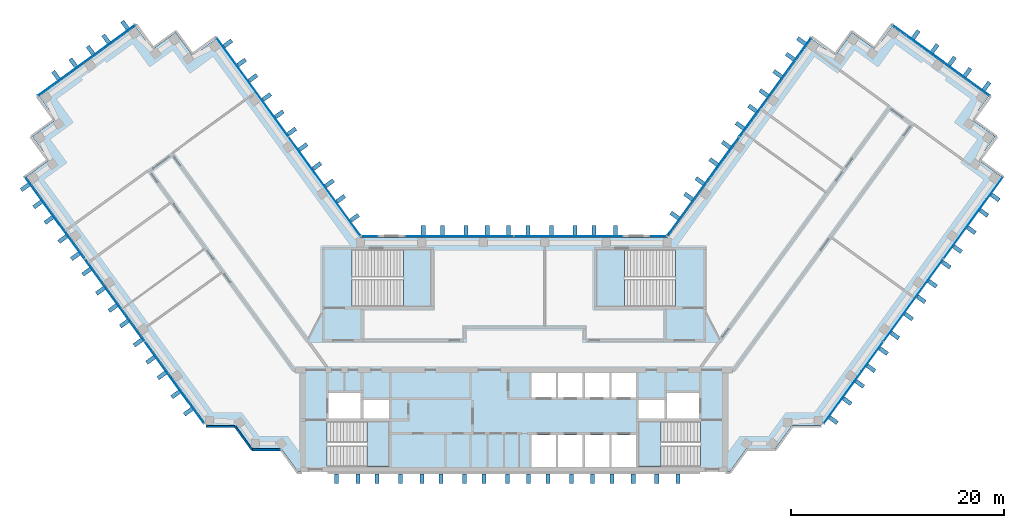
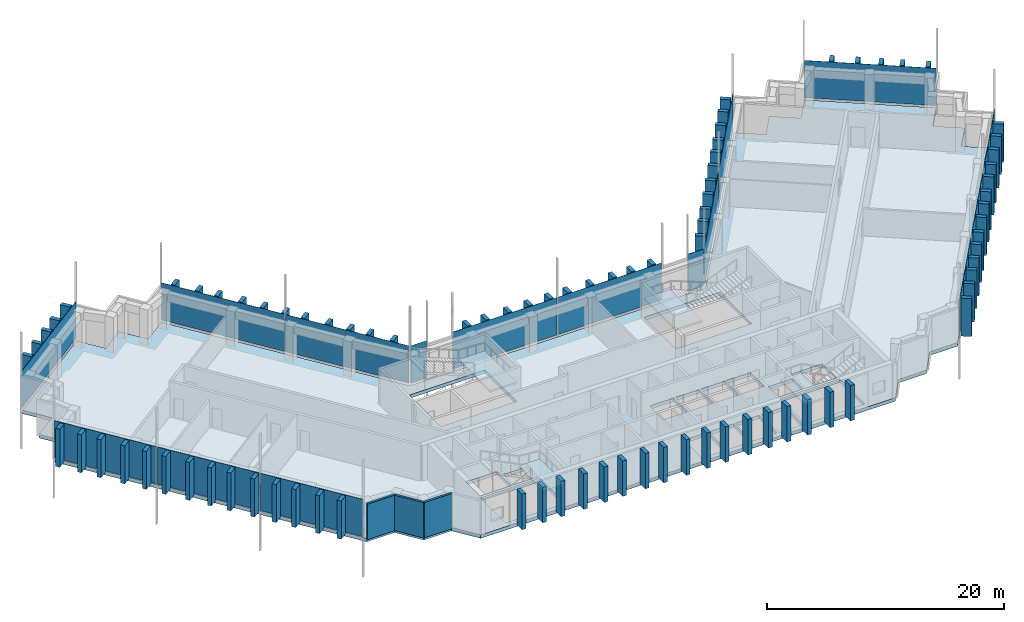
# One storey, part 6 of 13: 103 plates, 5 slabs, 3 walls, 13 elements without a shape of their own.
"""IFC4 building model written with IfcOpenShell, lengths in metres."""

from ifc_helpers import new_model, si_unit, direction, frame, frame_2d, origin, origin_2d, place, context, subcontext, project, spatial, polyline, rectangle, outline, extrude, material, layer, layer_set, type_object, element, aggregate, save


model = new_model("IFC4")

# Units and contexts
model_context = context("Model", 3, precision=1e-05, world=origin(), true_north=direction((0.0, 1.0)))
body_context = subcontext(model_context, "Body", "Model", "MODEL_VIEW")
ifc_project = project(units=[si_unit("LENGTHUNIT", "METRE"), si_unit("AREAUNIT", "SQUARE_METRE"), si_unit("VOLUMEUNIT", "CUBIC_METRE"), si_unit("PLANEANGLEUNIT", "RADIAN"), si_unit("MASSUNIT", "GRAM", prefix="KILO")], contexts=[model_context])

# Site, building, storey
site_placement = place(None, origin())
site = spatial("IfcSite", under=ifc_project, at=site_placement, CompositionType="ELEMENT")
building_placement = place(site_placement, origin())
building = spatial("IfcBuilding", under=site, at=building_placement, Name="Quipu Civic Tower", CompositionType="ELEMENT")
storey_placement = place(building_placement, frame((0.0, 0.0, 172.0)))
storey = spatial("IfcBuildingStorey", under=building, at=storey_placement, Name="L40", CompositionType="ELEMENT", Elevation=172.0)

# Slab
ifc_material_1 = material(Name="Concrete C40/50", Category="concrete")
ifc_layer_1 = layer(ifc_material_1, 0.35009765625)
ifc_layer_set_1 = layer_set([ifc_layer_1], Name="Concrete C40/50")
slab_type_1 = type_object("IfcSlabType", Name="Floor slab 350 C40/50", PredefinedType="FLOOR", material=ifc_layer_set_1)
slab_1_placement = place(storey_placement, frame((0.0, 0.0, -0.35009765625)))
element("IfcSlab", 1, at=slab_1_placement, inside=storey, type_object=slab_type_1, Name="Floor slab L40", PredefinedType="FLOOR", context=body_context, shape_type="SweptSolid", body=[
    extrude(outline(polyline([(27.909912109375, 29.60498046875), (30.094970703125, 28.014892578125), (31.68505859375, 30.199951171875), (33.864990234375, 28.614990234375), (35.455078125, 30.800048828125), (44.514892578125, 24.215087890625), (42.929931640625, 22.030029296875), (45.114990234375, 20.445068359375), (43.52490234375, 18.260009765625), (45.7099609375, 16.669921875), (28.780029296875, -6.6298828125), (26.080078125, -6.6298828125), (24.489990234375, -8.81494140625), (21.7900390625, -8.81494140625), (20.205078125, -11.0), (-20.205078125, -11.0), (-21.7900390625, -8.81494140625), (-24.489990234375, -8.81494140625), (-26.080078125, -6.6298828125), (-28.780029296875, -6.6298828125), (-45.7099609375, 16.669921875), (-43.52490234375, 18.260009765625), (-45.114990234375, 20.445068359375), (-42.929931640625, 22.030029296875), (-44.514892578125, 24.215087890625), (-35.455078125, 30.800048828125), (-33.864990234375, 28.614990234375), (-31.68505859375, 30.199951171875), (-30.094970703125, 28.014892578125), (-27.909912109375, 29.60498046875), (-14.39501953125, 11.0), (14.39501953125, 11.0), (27.909912109375, 29.60498046875)]), holes=[polyline([(1.64990234375, -7.5), (1.64990234375, -10.5), (3.949951171875, -10.5), (3.949951171875, -7.5), (1.64990234375, -7.5)]), polyline([(4.14990234375, -7.5), (4.14990234375, -10.5), (6.449951171875, -10.5), (6.449951171875, -7.5), (4.14990234375, -7.5)]), polyline([(-11.705078125, -6.2548828125), (-17.4951171875, -6.2548828125), (-17.4951171875, -10.4951171875), (-11.705078125, -10.4951171875), (-11.705078125, -6.2548828125)]), polyline([(-14.10009765625, -4.25), (-14.10009765625, -6.0), (-11.699951171875, -6.0), (-11.699951171875, -4.25), (-14.10009765625, -4.25)]), polyline([(-17.35009765625, -3.60009765625), (-17.35009765625, -6.0), (-14.35009765625, -6.0), (-14.35009765625, -3.60009765625), (-17.35009765625, -3.60009765625)]), polyline([(1.64990234375, -1.699951171875), (1.64990234375, -4.0), (3.949951171875, -4.0), (3.949951171875, -1.699951171875), (1.64990234375, -1.699951171875)]), polyline([(4.14990234375, -1.699951171875), (4.14990234375, -4.0), (6.449951171875, -4.0), (6.449951171875, -1.699951171875), (4.14990234375, -1.699951171875)]), polyline([(-7.7548828125, 9.844970703125), (-15.14501953125, 9.844970703125), (-15.14501953125, 4.5048828125), (-7.7548828125, 4.5048828125), (-7.7548828125, 9.844970703125)]), polyline([(6.64990234375, -7.5), (6.64990234375, -10.5), (8.949951171875, -10.5), (8.949951171875, -7.5), (6.64990234375, -7.5)]), polyline([(9.14990234375, -7.5), (9.14990234375, -10.5), (11.449951171875, -10.5), (11.449951171875, -7.5), (9.14990234375, -7.5)]), polyline([(11.705078125, -10.4951171875), (17.4951171875, -10.4951171875), (17.4951171875, -6.2548828125), (11.705078125, -6.2548828125), (11.705078125, -10.4951171875)]), polyline([(11.699951171875, -4.25), (11.699951171875, -6.0), (14.10009765625, -6.0), (14.10009765625, -4.25), (11.699951171875, -4.25)]), polyline([(14.35009765625, -3.60009765625), (14.35009765625, -6.0), (17.35009765625, -6.0), (17.35009765625, -3.60009765625), (14.35009765625, -3.60009765625)]), polyline([(6.64990234375, -1.699951171875), (6.64990234375, -4.0), (8.949951171875, -4.0), (8.949951171875, -1.699951171875), (6.64990234375, -1.699951171875)]), polyline([(9.14990234375, -1.699951171875), (9.14990234375, -4.0), (11.449951171875, -4.0), (11.449951171875, -1.699951171875), (9.14990234375, -1.699951171875)]), polyline([(7.7548828125, 4.5048828125), (15.14501953125, 4.5048828125), (15.14501953125, 9.844970703125), (7.7548828125, 9.844970703125), (7.7548828125, 4.5048828125)])]), origin(), (0.0, 0.0, 1.0), 0.35009765625),
])

# Curtain wall, plates
ifc_material_2 = material(Name="Insulated glass unit", Category="glass")
curtain_wall_type = type_object("IfcCurtainWallType", Name="Office curtain wall CW1", PredefinedType="NOTDEFINED", material=ifc_material_2)
curtain_wall_1_placement = place(storey_placement, origin())
curtain_wall_1 = element("IfcCurtainWall", 2, at=curtain_wall_1_placement, inside=storey, type_object=curtain_wall_type, Name="Office curtain wall CW1 L39 run 1", PredefinedType="NOTDEFINED")
ifc_material_3 = material(Name="Insulated glass unit", Category="glass")
ifc_layer_2 = layer(ifc_material_3, 0.028076171875)
ifc_layer_set_2 = layer_set([ifc_layer_2], Name="Insulated glass unit")
plate_type_1 = type_object("IfcPlateType", Name="Glass panel CW1", PredefinedType="CURTAIN_PANEL", material=ifc_layer_set_2)
plate_1_placement = place(storey_placement, frame((-17.7421875, 15.777099609375, 0.16015625), z_axis=(0.0, 0.0, 1.0), x_axis=(-0.587788727052, 0.809014469803, 0.0)))
plate_1 = element("IfcPlate", 3, at=plate_1_placement, type_object=plate_type_1, Name="CW1 panel 1.2", PredefinedType="CURTAIN_PANEL", context=body_context, shape_type="SweptSolid", body=[
    extrude(rectangle(XDim=11.402099609375, YDim=0.028076171875, at=origin_2d()), origin(), (0.0, 0.0, 1.0), 3.840087890625),
])
plate_2_placement = place(storey_placement, frame((-24.491455078125, 25.066162109375, 0.16015625), z_axis=(0.0, 0.0, 1.0), x_axis=(-0.587788727052, 0.809014469803, 0.0)))
plate_2 = element("IfcPlate", 4, at=plate_2_placement, type_object=plate_type_1, Name="CW1 panel 2.2", PredefinedType="CURTAIN_PANEL", context=body_context, shape_type="SweptSolid", body=[
    extrude(rectangle(XDim=11.402099609375, YDim=0.028076171875, at=origin_2d()), origin(), (0.0, 0.0, 1.0), 3.840087890625),
])
aggregate(curtain_wall_1, [plate_1, plate_2])

# Curtain wall, plate
curtain_wall_2_placement = place(storey_placement, origin())
curtain_wall_2 = element("IfcCurtainWall", 5, at=curtain_wall_2_placement, inside=storey, type_object=curtain_wall_type, Name="Office curtain wall CW1 L39 run 6", PredefinedType="NOTDEFINED")
plate_3_placement = place(storey_placement, frame((-40.04345703125, 27.58740234375, 0.16015625), z_axis=(0.0, 0.0, 1.0), x_axis=(-0.809015176832, -0.587787753918, 0.0)))
plate_3 = element("IfcPlate", 6, at=plate_3_placement, type_object=plate_type_1, Name="CW1 panel 1.2", PredefinedType="CURTAIN_PANEL", context=body_context, shape_type="SweptSolid", body=[
    extrude(rectangle(XDim=11.239990234375, YDim=0.028076171875, at=origin_2d()), origin(), (0.0, 0.0, 1.0), 3.840087890625),
])
aggregate(curtain_wall_2, [plate_3])

# Curtain wall, plates
curtain_wall_3_placement = place(storey_placement, origin())
curtain_wall_3 = element("IfcCurtainWall", 7, at=curtain_wall_3_placement, inside=storey, type_object=curtain_wall_type, Name="Office curtain wall CW1 L39 run 8", PredefinedType="NOTDEFINED")
plate_4_placement = place(storey_placement, frame((-43.030517578125, 12.814208984375, 0.16015625), z_axis=(0.0, 0.0, 1.0), x_axis=(0.5877856923, -0.80901667469, 0.0)))
plate_4 = element("IfcPlate", 8, at=plate_4_placement, type_object=plate_type_1, Name="CW1 panel 1.2", PredefinedType="CURTAIN_PANEL", context=body_context, shape_type="SweptSolid", body=[
    extrude(rectangle(XDim=9.43212890625, YDim=0.028076171875, at=origin_2d()), origin(), (0.0, 0.0, 1.0), 3.840087890625),
])
plate_5_placement = place(storey_placement, frame((-37.427734375, 5.102783203125, 0.16015625), z_axis=(0.0, 0.0, 1.0), x_axis=(0.5877856923, -0.80901667469, 0.0)))
plate_5 = element("IfcPlate", 9, at=plate_5_placement, type_object=plate_type_1, Name="CW1 panel 2.2", PredefinedType="CURTAIN_PANEL", context=body_context, shape_type="SweptSolid", body=[
    extrude(rectangle(XDim=9.471923828125, YDim=0.028076171875, at=origin_2d()), origin(), (0.0, 0.0, 1.0), 3.840087890625),
])
plate_6_placement = place(storey_placement, frame((-31.824951171875, -2.60888671875, 0.16015625), z_axis=(0.0, 0.0, 1.0), x_axis=(0.5877856923, -0.80901667469, 0.0)))
plate_6 = element("IfcPlate", 10, at=plate_6_placement, type_object=plate_type_1, Name="CW1 panel 3.2", PredefinedType="CURTAIN_PANEL", context=body_context, shape_type="SweptSolid", body=[
    extrude(rectangle(XDim=9.43212890625, YDim=0.028076171875, at=origin_2d()), origin(), (0.0, 0.0, 1.0), 3.840087890625),
])
aggregate(curtain_wall_3, [plate_4, plate_5, plate_6])

curtain_wall_4_placement = place(storey_placement, origin())
curtain_wall_4 = element("IfcCurtainWall", 11, at=curtain_wall_4_placement, inside=storey, type_object=curtain_wall_type, Name="Office curtain wall CW1 L39 run 20", PredefinedType="NOTDEFINED")
plate_7_placement = place(storey_placement, frame((31.824951171875, -2.60888671875, 0.16015625), z_axis=(0.0, 0.0, 1.0), x_axis=(0.5877856923, 0.80901667469, 0.0)))
plate_7 = element("IfcPlate", 12, at=plate_7_placement, type_object=plate_type_1, Name="CW1 panel 1.2", PredefinedType="CURTAIN_PANEL", context=body_context, shape_type="SweptSolid", body=[
    extrude(rectangle(XDim=9.43212890625, YDim=0.028076171875, at=origin_2d()), origin(), (0.0, 0.0, 1.0), 3.840087890625),
])
plate_8_placement = place(storey_placement, frame((37.427734375, 5.102783203125, 0.16015625), z_axis=(0.0, 0.0, 1.0), x_axis=(0.5877856923, 0.80901667469, 0.0)))
plate_8 = element("IfcPlate", 13, at=plate_8_placement, type_object=plate_type_1, Name="CW1 panel 2.2", PredefinedType="CURTAIN_PANEL", context=body_context, shape_type="SweptSolid", body=[
    extrude(rectangle(XDim=9.471923828125, YDim=0.028076171875, at=origin_2d()), origin(), (0.0, 0.0, 1.0), 3.840087890625),
])
plate_9_placement = place(storey_placement, frame((43.030517578125, 12.814208984375, 0.16015625), z_axis=(0.0, 0.0, 1.0), x_axis=(0.5877856923, 0.80901667469, 0.0)))
plate_9 = element("IfcPlate", 14, at=plate_9_placement, type_object=plate_type_1, Name="CW1 panel 3.2", PredefinedType="CURTAIN_PANEL", context=body_context, shape_type="SweptSolid", body=[
    extrude(rectangle(XDim=9.43212890625, YDim=0.028076171875, at=origin_2d()), origin(), (0.0, 0.0, 1.0), 3.840087890625),
])
aggregate(curtain_wall_4, [plate_7, plate_8, plate_9])

# Curtain wall, plate
curtain_wall_5_placement = place(storey_placement, origin())
curtain_wall_5 = element("IfcCurtainWall", 15, at=curtain_wall_5_placement, inside=storey, type_object=curtain_wall_type, Name="Office curtain wall CW1 L39 run 25", PredefinedType="NOTDEFINED")
plate_10_placement = place(storey_placement, frame((40.04345703125, 27.58740234375, 0.16015625), z_axis=(0.0, 0.0, 1.0), x_axis=(-0.809015176832, 0.587787753918, 0.0)))
plate_10 = element("IfcPlate", 16, at=plate_10_placement, type_object=plate_type_1, Name="CW1 panel 1.2", PredefinedType="CURTAIN_PANEL", context=body_context, shape_type="SweptSolid", body=[
    extrude(rectangle(XDim=11.239990234375, YDim=0.028076171875, at=origin_2d()), origin(), (0.0, 0.0, 1.0), 3.840087890625),
])
aggregate(curtain_wall_5, [plate_10])

# Curtain wall, plates
curtain_wall_6_placement = place(storey_placement, origin())
curtain_wall_6 = element("IfcCurtainWall", 17, at=curtain_wall_6_placement, inside=storey, type_object=curtain_wall_type, Name="Office curtain wall CW1 L39 run 30", PredefinedType="NOTDEFINED")
plate_11_placement = place(storey_placement, frame((24.491455078125, 25.066162109375, 0.16015625), z_axis=(0.0, 0.0, 1.0), x_axis=(-0.587788727052, -0.809014469803, 0.0)))
plate_11 = element("IfcPlate", 18, at=plate_11_placement, type_object=plate_type_1, Name="CW1 panel 1.2", PredefinedType="CURTAIN_PANEL", context=body_context, shape_type="SweptSolid", body=[
    extrude(rectangle(XDim=11.402099609375, YDim=0.028076171875, at=origin_2d()), origin(), (0.0, 0.0, 1.0), 3.840087890625),
])
plate_12_placement = place(storey_placement, frame((17.7421875, 15.777099609375, 0.16015625), z_axis=(0.0, 0.0, 1.0), x_axis=(-0.587788727052, -0.809014469803, 0.0)))
plate_12 = element("IfcPlate", 19, at=plate_12_placement, type_object=plate_type_1, Name="CW1 panel 2.2", PredefinedType="CURTAIN_PANEL", context=body_context, shape_type="SweptSolid", body=[
    extrude(rectangle(XDim=11.402099609375, YDim=0.028076171875, at=origin_2d()), origin(), (0.0, 0.0, 1.0), 3.840087890625),
])
aggregate(curtain_wall_6, [plate_11, plate_12])

# Curtain wall, plate
curtain_wall_7_placement = place(storey_placement, origin())
curtain_wall_7 = element("IfcCurtainWall", 20, at=curtain_wall_7_placement, inside=storey, type_object=curtain_wall_type, Name="Office curtain wall CW1 L39 run 31", PredefinedType="NOTDEFINED")
plate_13_placement = place(storey_placement, frame((13.49951171875, 11.10009765625, 0.16015625), z_axis=(0.0, 0.0, 1.0), x_axis=(-1.0, 0.0, 0.0)))
plate_13 = element("IfcPlate", 21, at=plate_13_placement, type_object=plate_type_1, Name="CW1 panel 1.2", PredefinedType="CURTAIN_PANEL", context=body_context, shape_type="SweptSolid", body=[
    extrude(rectangle(XDim=1.529296875, YDim=0.028076171875, at=origin_2d()), origin(), (0.0, 0.0, 1.0), 3.840087890625),
])
aggregate(curtain_wall_7, [plate_13])

# Curtain wall, plates
curtain_wall_8_placement = place(storey_placement, origin())
curtain_wall_8 = element("IfcCurtainWall", 22, at=curtain_wall_8_placement, inside=storey, type_object=curtain_wall_type, Name="Office curtain wall CW1 L39 run 33", PredefinedType="NOTDEFINED")
plate_14_placement = place(storey_placement, frame((5.11181640625, 11.10009765625, 0.16015625), z_axis=(0.0, 0.0, 1.0), x_axis=(-1.0, 0.0, 0.0)))
plate_14 = element("IfcPlate", 23, at=plate_14_placement, type_object=plate_type_1, Name="CW1 panel 1.2", PredefinedType="CURTAIN_PANEL", context=body_context, shape_type="SweptSolid", body=[
    extrude(rectangle(XDim=10.1435546875, YDim=0.028076171875, at=origin_2d()), origin(), (0.0, 0.0, 1.0), 3.840087890625),
])
plate_15_placement = place(storey_placement, frame((-5.11181640625, 11.10009765625, 0.16015625), z_axis=(0.0, 0.0, 1.0), x_axis=(-1.0, 0.0, 0.0)))
plate_15 = element("IfcPlate", 24, at=plate_15_placement, type_object=plate_type_1, Name="CW1 panel 2.2", PredefinedType="CURTAIN_PANEL", context=body_context, shape_type="SweptSolid", body=[
    extrude(rectangle(XDim=10.1435546875, YDim=0.028076171875, at=origin_2d()), origin(), (0.0, 0.0, 1.0), 3.840087890625),
])
aggregate(curtain_wall_8, [plate_14, plate_15])

# Curtain wall, plate
curtain_wall_9_placement = place(storey_placement, origin())
curtain_wall_9 = element("IfcCurtainWall", 25, at=curtain_wall_9_placement, inside=storey, type_object=curtain_wall_type, Name="Office curtain wall CW1 L39 run 35", PredefinedType="NOTDEFINED")
plate_16_placement = place(storey_placement, frame((-13.49951171875, 11.10009765625, 0.16015625), z_axis=(0.0, 0.0, 1.0), x_axis=(-1.0, 0.0, 0.0)))
plate_16 = element("IfcPlate", 26, at=plate_16_placement, type_object=plate_type_1, Name="CW1 panel 1.2", PredefinedType="CURTAIN_PANEL", context=body_context, shape_type="SweptSolid", body=[
    extrude(rectangle(XDim=1.529296875, YDim=0.028076171875, at=origin_2d()), origin(), (0.0, 0.0, 1.0), 3.840087890625),
])
aggregate(curtain_wall_9, [plate_16])

# Plates
ifc_material_4 = material(Name="Precast concrete C40/50", Category="concrete")
plate_type_2 = type_object("IfcPlateType", Name="Precast fin F2", PredefinedType="SHEET", material=ifc_material_4)
for number, where, z_axis, x_axis, name in (
    (27, (-14.92138671875, 12.830078125, 0.080078125), (0.0, 0.0, 1.0), (-0.587787133119, 0.809015627871, 0.0), "Precast fin F2 L40.P04.1"),
    (28, (-16.214599609375, 14.610107421875, 0.080078125), (0.0, 0.0, 1.0), (-0.587787133119, 0.809015627871, 0.0), "Precast fin F2 L40.P04.2"),
    (29, (-17.272705078125, 16.066162109375, 0.080078125), (0.0, 0.0, 1.0), (-0.587787133119, 0.809015627871, 0.0), "Precast fin F2 L40.P04.3"),
    (30, (-18.4482421875, 17.684326171875, 0.080078125), (0.0, 0.0, 1.0), (-0.587787133119, 0.809015627871, 0.0), "Precast fin F2 L40.P04.4"),
    (31, (-19.741455078125, 19.464111328125, 0.080078125), (0.0, 0.0, 1.0), (-0.587787133119, 0.809015627871, 0.0), "Precast fin F2 L40.P04.5"),
    (32, (-20.79931640625, 20.92041015625, 0.080078125), (0.0, 0.0, 1.0), (-0.587787133119, 0.809015627871, 0.0), "Precast fin F2 L40.P04.6"),
    (33, (-21.974853515625, 22.538330078125, 0.080078125), (0.0, 0.0, 1.0), (-0.587787133119, 0.809015627871, 0.0), "Precast fin F2 L40.P04.7"),
    (34, (-23.150390625, 24.156494140625, 0.080078125), (0.0, 0.0, 1.0), (-0.587787133119, 0.809015627871, 0.0), "Precast fin F2 L40.P04.8"),
    (35, (-24.443603515625, 25.936279296875, 0.080078125), (0.0, 0.0, 1.0), (-0.587787133119, 0.809015627871, 0.0), "Precast fin F2 L40.P04.9"),
    (36, (-25.501708984375, 27.392578125, 0.080078125), (0.0, 0.0, 1.0), (-0.587787133119, 0.809015627871, 0.0), "Precast fin F2 L40.P04.10"),
    (37, (-26.794677734375, 29.17236328125, 0.080078125), (0.0, 0.0, 1.0), (-0.587787133119, 0.809015627871, 0.0), "Precast fin F2 L40.P04.11"),
    (38, (-36.434814453125, 30.88916015625, 0.080078125), (0.0, 0.0, 1.0), (-0.809017072762, -0.587785144401, 0.0), "Precast fin F2 L40.P09.1"),
    (39, (-38.21484375, 29.595947265625, 0.080078125), (0.0, 0.0, 1.0), (-0.809017072762, -0.587785144401, 0.0), "Precast fin F2 L40.P09.2"),
    (40, (-39.6708984375, 28.537841796875, 0.080078125), (0.0, 0.0, 1.0), (-0.809017072762, -0.587785144401, 0.0), "Precast fin F2 L40.P09.3"),
    (41, (-41.2890625, 27.3623046875, 0.080078125), (0.0, 0.0, 1.0), (-0.809017072762, -0.587785144401, 0.0), "Precast fin F2 L40.P09.4"),
    (42, (-42.906982421875, 26.186767578125, 0.080078125), (0.0, 0.0, 1.0), (-0.809017072762, -0.587785144401, 0.0), "Precast fin F2 L40.P09.5"),
    (43, (-45.80078125, 15.69140625, 0.080078125), (0.0, 0.0, 1.0), (0.587785620359, -0.809016726959, 0.0), "Precast fin F2 L40.P11.1"),
    (44, (-44.625244140625, 14.073486328125, 0.080078125), (0.0, 0.0, 1.0), (0.587785620359, -0.809016726959, 0.0), "Precast fin F2 L40.P11.2"),
    (45, (-43.567138671875, 12.6171875, 0.080078125), (0.0, 0.0, 1.0), (0.587785620359, -0.809016726959, 0.0), "Precast fin F2 L40.P11.3"),
    (46, (-42.27392578125, 10.83740234375, 0.080078125), (0.0, 0.0, 1.0), (0.587785620359, -0.809016726959, 0.0), "Precast fin F2 L40.P11.4"),
    (47, (-41.098388671875, 9.21923828125, 0.080078125), (0.0, 0.0, 1.0), (0.587785620359, -0.809016726959, 0.0), "Precast fin F2 L40.P11.5"),
    (48, (-40.040283203125, 7.76318359375, 0.080078125), (0.0, 0.0, 1.0), (0.587785620359, -0.809016726959, 0.0), "Precast fin F2 L40.P11.6"),
    (49, (-38.747314453125, 5.983154296875, 0.080078125), (0.0, 0.0, 1.0), (0.587785620359, -0.809016726959, 0.0), "Precast fin F2 L40.P11.7"),
    (50, (-37.57177734375, 4.365234375, 0.080078125), (0.0, 0.0, 1.0), (0.587785620359, -0.809016726959, 0.0), "Precast fin F2 L40.P11.8"),
    (51, (-36.513671875, 2.908935546875, 0.080078125), (0.0, 0.0, 1.0), (0.587785620359, -0.809016726959, 0.0), "Precast fin F2 L40.P11.9"),
    (52, (-35.220458984375, 1.129150390625, 0.080078125), (0.0, 0.0, 1.0), (0.587785620359, -0.809016726959, 0.0), "Precast fin F2 L40.P11.10"),
    (53, (-34.044921875, -0.48876953125, 0.080078125), (0.0, 0.0, 1.0), (0.587785620359, -0.809016726959, 0.0), "Precast fin F2 L40.P11.11"),
    (54, (-32.987060546875, -1.945068359375, 0.080078125), (0.0, 0.0, 1.0), (0.587785620359, -0.809016726959, 0.0), "Precast fin F2 L40.P11.12"),
    (55, (-31.69384765625, -3.724853515625, 0.080078125), (0.0, 0.0, 1.0), (0.587785620359, -0.809016726959, 0.0), "Precast fin F2 L40.P11.13"),
    (56, (-30.518310546875, -5.343017578125, 0.080078125), (0.0, 0.0, 1.0), (0.587785620359, -0.809016726959, 0.0), "Precast fin F2 L40.P11.14"),
):
    element("IfcPlate", number, at=place(storey_placement, frame(where, z_axis=z_axis, x_axis=x_axis)), inside=storey, type_object=plate_type_2, Name=name, PredefinedType="SHEET", context=body_context, shape_type="SweptSolid", body=[
        extrude(rectangle(XDim=0.3798828125, YDim=0.89990234375, at=origin_2d()), origin(), (0.0, 0.0, 1.0), 3.919921875),
    ])
for number, where, z_axis, x_axis, name in (
    (57, (-16.610107421875, -11.637939453125, 0.0), (0.0, 0.0, 1.0), (1.0, 0.0, 0.0), "Precast fin F2 L40.P18.1"),
    (58, (-14.610107421875, -11.637939453125, 0.0), (0.0, 0.0, 1.0), (1.0, 0.0, 0.0), "Precast fin F2 L40.P18.2"),
    (59, (-12.81005859375, -11.637939453125, 0.0), (0.0, 0.0, 1.0), (1.0, 0.0, 0.0), "Precast fin F2 L40.P18.3"),
    (60, (-10.610107421875, -11.637939453125, 0.0), (0.0, 0.0, 1.0), (1.0, 0.0, 0.0), "Precast fin F2 L40.P18.4"),
    (61, (-8.610107421875, -11.637939453125, 0.0), (0.0, 0.0, 1.0), (1.0, 0.0, 0.0), "Precast fin F2 L40.P18.5"),
    (62, (-6.81005859375, -11.637939453125, 0.0), (0.0, 0.0, 1.0), (1.0, 0.0, 0.0), "Precast fin F2 L40.P18.6"),
    (63, (-4.610107421875, -11.637939453125, 0.0), (0.0, 0.0, 1.0), (1.0, 0.0, 0.0), "Precast fin F2 L40.P18.7"),
    (64, (-2.81005859375, -11.637939453125, 0.0), (0.0, 0.0, 1.0), (1.0, 0.0, 0.0), "Precast fin F2 L40.P18.8"),
    (65, (-0.610107421875, -11.637939453125, 0.0), (0.0, 0.0, 1.0), (1.0, 0.0, 0.0), "Precast fin F2 L40.P18.9"),
    (66, (1.389892578125, -11.637939453125, 0.0), (0.0, 0.0, 1.0), (1.0, 0.0, 0.0), "Precast fin F2 L40.P18.10"),
    (67, (3.18994140625, -11.637939453125, 0.0), (0.0, 0.0, 1.0), (1.0, 0.0, 0.0), "Precast fin F2 L40.P18.11"),
    (68, (5.389892578125, -11.637939453125, 0.0), (0.0, 0.0, 1.0), (1.0, 0.0, 0.0), "Precast fin F2 L40.P18.12"),
    (69, (7.389892578125, -11.637939453125, 0.0), (0.0, 0.0, 1.0), (1.0, 0.0, 0.0), "Precast fin F2 L40.P18.13"),
    (70, (9.18994140625, -11.637939453125, 0.0), (0.0, 0.0, 1.0), (1.0, 0.0, 0.0), "Precast fin F2 L40.P18.14"),
    (71, (11.18994140625, -11.637939453125, 0.0), (0.0, 0.0, 1.0), (1.0, 0.0, 0.0), "Precast fin F2 L40.P18.15"),
    (72, (13.389892578125, -11.637939453125, 0.0), (0.0, 0.0, 1.0), (1.0, 0.0, 0.0), "Precast fin F2 L40.P18.16"),
    (73, (15.389892578125, -11.637939453125, 0.0), (0.0, 0.0, 1.0), (1.0, 0.0, 0.0), "Precast fin F2 L40.P18.17"),
):
    element("IfcPlate", number, at=place(storey_placement, frame(where, z_axis=z_axis, x_axis=x_axis)), inside=storey, type_object=plate_type_2, Name=name, PredefinedType="SHEET", context=body_context, shape_type="SweptSolid", body=[
        extrude(rectangle(XDim=0.3798828125, YDim=0.89990234375, at=origin_2d()), origin(), (0.0, 0.0, 1.0), 3.64990234375),
    ])
for number, where, z_axis, x_axis, name in (
    (74, (29.944091796875, -6.133056640625, 0.080078125), (0.0, 0.0, 1.0), (0.587785620359, 0.809016726959, 0.0), "Precast fin F2 L40.P24.1"),
    (75, (31.2373046875, -4.353271484375, 0.080078125), (0.0, 0.0, 1.0), (0.587785620359, 0.809016726959, 0.0), "Precast fin F2 L40.P24.2"),
    (76, (32.412841796875, -2.7353515625, 0.080078125), (0.0, 0.0, 1.0), (0.587785620359, 0.809016726959, 0.0), "Precast fin F2 L40.P24.3"),
    (77, (33.470947265625, -1.279052734375, 0.080078125), (0.0, 0.0, 1.0), (0.587785620359, 0.809016726959, 0.0), "Precast fin F2 L40.P24.4"),
    (78, (34.646484375, 0.339111328125, 0.080078125), (0.0, 0.0, 1.0), (0.587785620359, 0.809016726959, 0.0), "Precast fin F2 L40.P24.5"),
    (79, (35.70458984375, 1.795166015625, 0.080078125), (0.0, 0.0, 1.0), (0.587785620359, 0.809016726959, 0.0), "Precast fin F2 L40.P24.6"),
    (80, (36.99755859375, 3.5751953125, 0.080078125), (0.0, 0.0, 1.0), (0.587785620359, 0.809016726959, 0.0), "Precast fin F2 L40.P24.7"),
    (81, (38.173095703125, 5.193115234375, 0.080078125), (0.0, 0.0, 1.0), (0.587785620359, 0.809016726959, 0.0), "Precast fin F2 L40.P24.8"),
    (82, (39.231201171875, 6.6494140625, 0.080078125), (0.0, 0.0, 1.0), (0.587785620359, 0.809016726959, 0.0), "Precast fin F2 L40.P24.9"),
    (83, (40.5244140625, 8.42919921875, 0.080078125), (0.0, 0.0, 1.0), (0.587785620359, 0.809016726959, 0.0), "Precast fin F2 L40.P24.10"),
    (84, (41.582275390625, 9.885498046875, 0.080078125), (0.0, 0.0, 1.0), (0.587785620359, 0.809016726959, 0.0), "Precast fin F2 L40.P24.11"),
    (85, (42.87548828125, 11.665283203125, 0.080078125), (0.0, 0.0, 1.0), (0.587785620359, 0.809016726959, 0.0), "Precast fin F2 L40.P24.12"),
    (86, (44.051025390625, 13.283203125, 0.080078125), (0.0, 0.0, 1.0), (0.587785620359, 0.809016726959, 0.0), "Precast fin F2 L40.P24.13"),
    (87, (45.109130859375, 14.739501953125, 0.080078125), (0.0, 0.0, 1.0), (0.587785620359, 0.809016726959, 0.0), "Precast fin F2 L40.P24.14"),
    (88, (44.298583984375, 25.17578125, 0.080078125), (0.0, 0.0, 1.0), (-0.809017072762, 0.587785144401, 0.0), "Precast fin F2 L40.P29.1"),
    (89, (42.518798828125, 26.468994140625, 0.080078125), (0.0, 0.0, 1.0), (-0.809017072762, 0.587785144401, 0.0), "Precast fin F2 L40.P29.2"),
    (90, (41.0625, 27.52685546875, 0.080078125), (0.0, 0.0, 1.0), (-0.809017072762, 0.587785144401, 0.0), "Precast fin F2 L40.P29.3"),
    (91, (39.444580078125, 28.70263671875, 0.080078125), (0.0, 0.0, 1.0), (-0.809017072762, 0.587785144401, 0.0), "Precast fin F2 L40.P29.4"),
    (92, (37.66455078125, 29.99560546875, 0.080078125), (0.0, 0.0, 1.0), (-0.809017072762, 0.587785144401, 0.0), "Precast fin F2 L40.P29.5"),
    (93, (26.95068359375, 29.386962890625, 0.080078125), (0.0, 0.0, 1.0), (-0.587787133119, -0.809015627871, 0.0), "Precast fin F2 L40.P34.1"),
    (94, (25.892578125, 27.9306640625, 0.080078125), (0.0, 0.0, 1.0), (-0.587787133119, -0.809015627871, 0.0), "Precast fin F2 L40.P34.2"),
    (95, (24.717041015625, 26.312744140625, 0.080078125), (0.0, 0.0, 1.0), (-0.587787133119, -0.809015627871, 0.0), "Precast fin F2 L40.P34.3"),
    (96, (23.424072265625, 24.53271484375, 0.080078125), (0.0, 0.0, 1.0), (-0.587787133119, -0.809015627871, 0.0), "Precast fin F2 L40.P34.4"),
    (97, (22.365966796875, 23.07666015625, 0.080078125), (0.0, 0.0, 1.0), (-0.587787133119, -0.809015627871, 0.0), "Precast fin F2 L40.P34.5"),
    (98, (21.1904296875, 21.45849609375, 0.080078125), (0.0, 0.0, 1.0), (-0.587787133119, -0.809015627871, 0.0), "Precast fin F2 L40.P34.6"),
    (99, (19.897216796875, 19.6787109375, 0.080078125), (0.0, 0.0, 1.0), (-0.587787133119, -0.809015627871, 0.0), "Precast fin F2 L40.P34.7"),
    (100, (18.7216796875, 18.060791015625, 0.080078125), (0.0, 0.0, 1.0), (-0.587787133119, -0.809015627871, 0.0), "Precast fin F2 L40.P34.8"),
    (101, (17.428466796875, 16.28076171875, 0.080078125), (0.0, 0.0, 1.0), (-0.587787133119, -0.809015627871, 0.0), "Precast fin F2 L40.P34.9"),
    (102, (16.37060546875, 14.82470703125, 0.080078125), (0.0, 0.0, 1.0), (-0.587787133119, -0.809015627871, 0.0), "Precast fin F2 L40.P34.10"),
    (103, (15.077392578125, 13.044677734375, 0.080078125), (0.0, 0.0, 1.0), (-0.587787133119, -0.809015627871, 0.0), "Precast fin F2 L40.P34.11"),
    (104, (9.510009765625, 11.64990234375, 0.080078125), (0.0, 0.0, 1.0), (-1.0, 0.0, 0.0), "Precast fin F2 L40.P37.1"),
    (105, (7.510009765625, 11.64990234375, 0.080078125), (0.0, 0.0, 1.0), (-1.0, 0.0, 0.0), "Precast fin F2 L40.P37.2"),
    (106, (5.7099609375, 11.64990234375, 0.080078125), (0.0, 0.0, 1.0), (-1.0, 0.0, 0.0), "Precast fin F2 L40.P37.3"),
    (107, (3.510009765625, 11.64990234375, 0.080078125), (0.0, 0.0, 1.0), (-1.0, 0.0, 0.0), "Precast fin F2 L40.P37.4"),
    (108, (1.31005859375, 11.64990234375, 0.080078125), (0.0, 0.0, 1.0), (-1.0, 0.0, 0.0), "Precast fin F2 L40.P37.5"),
    (109, (-0.489990234375, 11.64990234375, 0.080078125), (0.0, 0.0, 1.0), (-1.0, 0.0, 0.0), "Precast fin F2 L40.P37.6"),
    (110, (-2.489990234375, 11.64990234375, 0.080078125), (0.0, 0.0, 1.0), (-1.0, 0.0, 0.0), "Precast fin F2 L40.P37.7"),
    (111, (-4.489990234375, 11.64990234375, 0.080078125), (0.0, 0.0, 1.0), (-1.0, 0.0, 0.0), "Precast fin F2 L40.P37.8"),
    (112, (-6.68994140625, 11.64990234375, 0.080078125), (0.0, 0.0, 1.0), (-1.0, 0.0, 0.0), "Precast fin F2 L40.P37.9"),
    (113, (-8.489990234375, 11.64990234375, 0.080078125), (0.0, 0.0, 1.0), (-1.0, 0.0, 0.0), "Precast fin F2 L40.P37.10"),
):
    element("IfcPlate", number, at=place(storey_placement, frame(where, z_axis=z_axis, x_axis=x_axis)), inside=storey, type_object=plate_type_2, Name=name, PredefinedType="SHEET", context=body_context, shape_type="SweptSolid", body=[
        extrude(rectangle(XDim=0.3798828125, YDim=0.89990234375, at=origin_2d()), origin(), (0.0, 0.0, 1.0), 3.919921875),
    ])

# Stair, slab
ifc_material_5 = material(Name="Concrete C40/50", Category="concrete")
stair_type_1 = type_object("IfcStairType", Name="Half turn stair 2000", PredefinedType="HALF_TURN_STAIR", material=ifc_material_5)
stair_1_placement = place(storey_placement, origin())
stair_1 = element("IfcStair", 114, at=stair_1_placement, inside=storey, type_object=stair_type_1, Name="Exit stair 1", PredefinedType="HALF_TURN_STAIR")
ifc_material_6 = material(Name="Concrete C40/50", Category="concrete")
ifc_layer_3 = layer(ifc_material_6, 0.199951171875)
ifc_layer_set_3 = layer_set([ifc_layer_3], Name="Concrete C40/50")
slab_type_2 = type_object("IfcSlabType", Name="Stair landing 200", PredefinedType="LANDING", material=ifc_layer_set_3)
slab_2_placement = place(storey_placement, frame((0.0, 0.0, 1.800048828125)))
slab_2 = element("IfcSlab", 115, at=slab_2_placement, type_object=slab_type_2, Name="ST-1 landing 1", PredefinedType="LANDING", context=body_context, shape_type="SweptSolid", body=[
    extrude(outline(polyline([(-13.780029296875, -10.5), (-11.699951171875, -10.5), (-11.699951171875, -6.25), (-13.780029296875, -6.25), (-13.780029296875, -10.5)])), origin(), (0.0, 0.0, 1.0), 0.199951171875),
])
aggregate(stair_1, [slab_2])

stair_2_placement = place(storey_placement, origin())
stair_2 = element("IfcStair", 116, at=stair_2_placement, inside=storey, type_object=stair_type_1, Name="Exit stair 2", PredefinedType="HALF_TURN_STAIR")
slab_3_placement = place(storey_placement, frame((0.0, 0.0, 1.800048828125)))
slab_3 = element("IfcSlab", 117, at=slab_3_placement, type_object=slab_type_2, Name="ST-2 landing 1", PredefinedType="LANDING", context=body_context, shape_type="SweptSolid", body=[
    extrude(outline(polyline([(13.780029296875, -6.25), (11.699951171875, -6.25), (11.699951171875, -10.5), (13.780029296875, -10.5), (13.780029296875, -6.25)])), origin(), (0.0, 0.0, 1.0), 0.199951171875),
])
aggregate(stair_2, [slab_3])

ifc_material_7 = material(Name="Concrete C40/50", Category="concrete")
stair_type_2 = type_object("IfcStairType", Name="Half turn stair 2600", PredefinedType="HALF_TURN_STAIR", material=ifc_material_7)
stair_3_placement = place(storey_placement, origin())
stair_3 = element("IfcStair", 118, at=stair_3_placement, inside=storey, type_object=stair_type_2, Name="Exit stair 3", PredefinedType="HALF_TURN_STAIR")
slab_4_placement = place(storey_placement, frame((0.0, 0.0, 1.800048828125)))
slab_4 = element("IfcSlab", 119, at=slab_4_placement, type_object=slab_type_2, Name="ST-3 landing 1", PredefinedType="LANDING", context=body_context, shape_type="SweptSolid", body=[
    extrude(outline(polyline([(-10.35009765625, 4.5), (-7.75, 4.5), (-7.75, 9.85009765625), (-10.35009765625, 9.85009765625), (-10.35009765625, 4.5)])), origin(), (0.0, 0.0, 1.0), 0.199951171875),
])
aggregate(stair_3, [slab_4])

stair_4_placement = place(storey_placement, origin())
stair_4 = element("IfcStair", 120, at=stair_4_placement, inside=storey, type_object=stair_type_2, Name="Exit stair 4", PredefinedType="HALF_TURN_STAIR")
slab_5_placement = place(storey_placement, frame((0.0, 0.0, 1.800048828125)))
slab_5 = element("IfcSlab", 121, at=slab_5_placement, type_object=slab_type_2, Name="ST-4 landing 1", PredefinedType="LANDING", context=body_context, shape_type="SweptSolid", body=[
    extrude(outline(polyline([(10.35009765625, 9.85009765625), (7.75, 9.85009765625), (7.75, 4.5), (10.35009765625, 4.5), (10.35009765625, 9.85009765625)])), origin(), (0.0, 0.0, 1.0), 0.199951171875),
])
aggregate(stair_4, [slab_5])

# Walls
ifc_material_8 = material(Name="Precast concrete C40/50", Category="concrete")
wall_type = type_object("IfcWallType", Name="Precast cladding wall", PredefinedType="SOLIDWALL", material=ifc_material_8)
wall_1_placement = place(storey_placement, frame((-28.829833984375, -6.71923828125, 0.0), z_axis=(0.0, 0.0, 1.0), x_axis=(1.0, 0.0, 0.0)))
element("IfcWall", 122, at=wall_1_placement, inside=storey, type_object=wall_type, Name="Precast cladding wall L40 P12", PredefinedType="SOLIDWALL", context=body_context, shape_type="SweptSolid", body=[
    extrude(rectangle(XDim=2.699951171875, YDim=0.199951171875, at=frame_2d((1.35009765625, 0.0))), origin(), (0.0, 0.0, 1.0), 3.64990234375),
])
wall_2_placement = place(storey_placement, frame((-26.1201171875, -6.72412109375, 0.0), z_axis=(0.0, 0.0, 1.0), x_axis=(0.587720002413, -0.809064397168, 0.0)))
element("IfcWall", 123, at=wall_2_placement, inside=storey, type_object=wall_type, Name="Precast cladding wall L40 P13", PredefinedType="SOLIDWALL", context=body_context, shape_type="SweptSolid", body=[
    extrude(rectangle(XDim=2.7001953125, YDim=0.199951171875, at=frame_2d((1.35009765625, 0.0))), origin(), (0.0, 0.0, 1.0), 3.64990234375),
])
wall_3_placement = place(storey_placement, frame((-24.542724609375, -8.90380859375, 0.0), z_axis=(0.0, 0.0, 1.0), x_axis=(1.0, 0.0, 0.0)))
element("IfcWall", 124, at=wall_3_placement, inside=storey, type_object=wall_type, Name="Precast cladding wall L40 P14", PredefinedType="SOLIDWALL", context=body_context, shape_type="SweptSolid", body=[
    extrude(rectangle(XDim=2.699951171875, YDim=0.199951171875, at=frame_2d((1.35009765625, 0.0))), origin(), (0.0, 0.0, 1.0), 3.64990234375),
])

save(model, "model.ifc")
